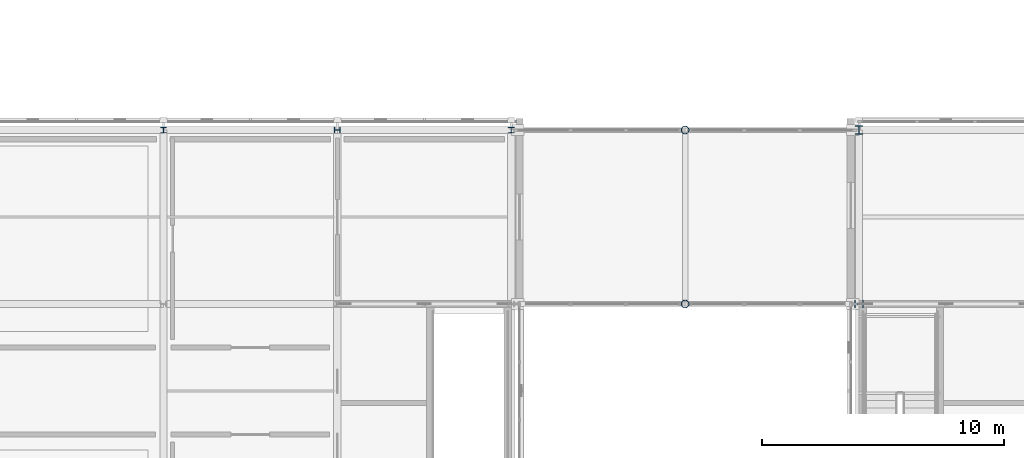
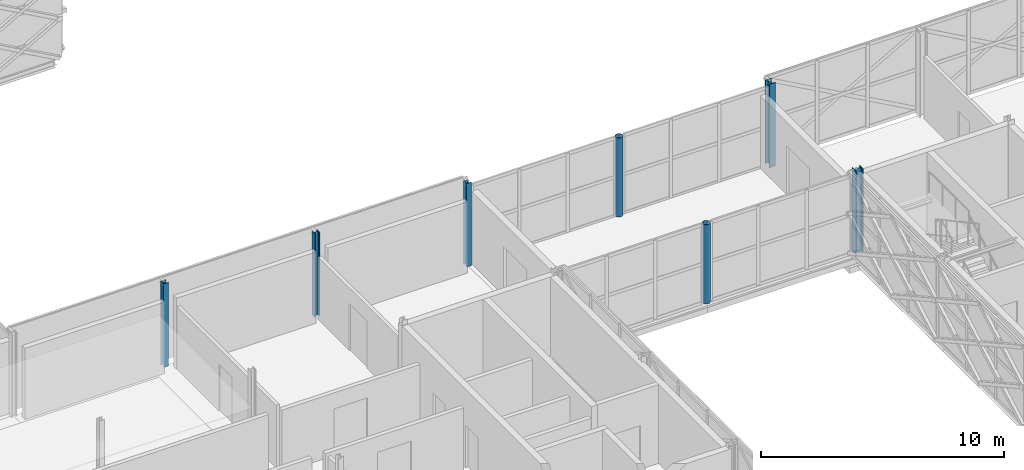
# One storey, part 3 of 126: 7 columns.
"""IFC4 building model written with IfcOpenShell, lengths in metres."""

from ifc_helpers import new_model, si_unit, direction, frame, origin, origin_2d, place, context, subcontext, project, spatial, hollow_circle, i_section, extrude, material, material_profile, profile_set, type_object, element, save


model = new_model("IFC4")

# Units and contexts
model_context = context("Model", 3, precision=1e-05, world=origin(), true_north=direction((0.0, 1.0)))
body_context = subcontext(model_context, "Body", "Model", "MODEL_VIEW")
ifc_project = project(units=[si_unit("LENGTHUNIT", "METRE"), si_unit("AREAUNIT", "SQUARE_METRE"), si_unit("VOLUMEUNIT", "CUBIC_METRE"), si_unit("PLANEANGLEUNIT", "RADIAN"), si_unit("MASSUNIT", "GRAM", prefix="KILO")], contexts=[model_context])

# Site, building, storey
site_placement = place(None, origin())
site = spatial("IfcSite", under=ifc_project, at=site_placement, CompositionType="ELEMENT")
building_placement = place(site_placement, origin())
building = spatial("IfcBuilding", under=site, at=building_placement, Name="Zlatovets Crest Museum", CompositionType="ELEMENT")
storey_placement = place(building_placement, frame((0.0, 0.0, 8.699951171875)))
storey = spatial("IfcBuildingStorey", under=building, at=storey_placement, Name="L02", CompositionType="ELEMENT", Elevation=8.699951171875)

# Columns
ifc_material = material(Name="Structural steel S355J2", Category="steel")
ifc_material_profile_1 = material_profile(ifc_material, i_section(OverallWidth=0.300048828125, OverallDepth=0.360107421875, WebThickness=0.012451171875, FlangeThickness=0.0224609375, FilletRadius=0.027099609375, at=origin_2d()), Name="HEB 360")
ifc_profile_set_1 = profile_set([ifc_material_profile_1], Name="Structural steel S355J2")
column_type_1 = type_object("IfcColumnType", Name="Col_C-08", PredefinedType="COLUMN", material=ifc_profile_set_1)
for number, where, z_axis, x_axis, name in (
    (1, (57.60009765625, 21.60009765625, 0.0), (0.0, 0.0, 1.0), (0.0, 1.0, 0.0), "V2 L02 Column (57.6, 21.6)"),
    (2, (57.60009765625, 28.800048828125, 0.0), (0.0, 0.0, 1.0), (1.0, 0.0, 0.0), "V2 L02 Column (57.6, 28.8)"),
):
    element("IfcColumn", number, at=place(storey_placement, frame(where, z_axis=z_axis, x_axis=x_axis)), inside=storey, type_object=column_type_1, Name=name, PredefinedType="COLUMN", context=body_context, shape_type="SweptSolid", body=[
        extrude(i_section(OverallWidth=0.300048828125, OverallDepth=0.360107421875, WebThickness=0.012451171875, FlangeThickness=0.0224609375, FilletRadius=0.027099609375, at=origin_2d()), origin(), (0.0, 0.0, 1.0), 4.199951171875),
    ])
ifc_material_profile_2 = material_profile(ifc_material, hollow_circle(Radius=0.161865234375, WallThickness=0.012451171875, at=origin_2d()), Name="CHS 323.9x12.5")
ifc_profile_set_2 = profile_set([ifc_material_profile_2], Name="Structural steel S355J2")
column_type_2 = type_object("IfcColumnType", Name="Col_C-13", PredefinedType="COLUMN", material=ifc_profile_set_2)
for number, where, z_axis, x_axis, name in (
    (3, (50.39990234375, 21.60009765625, 0.0), (0.0, 0.0, 1.0), (1.0, 0.0, 0.0), "South Forecourt Glazed Link Bridge Portal Column"),
    (4, (50.39990234375, 28.800048828125, 0.0), (0.0, 0.0, 1.0), (1.0, 0.0, 0.0), "South Forecourt Glazed Link Bridge Portal Column"),
):
    element("IfcColumn", number, at=place(storey_placement, frame(where, z_axis=z_axis, x_axis=x_axis)), inside=storey, type_object=column_type_2, Name=name, PredefinedType="COLUMN", context=body_context, shape_type="SweptSolid", body=[
        extrude(hollow_circle(Radius=0.161865234375, WallThickness=0.012451171875, at=origin_2d()), origin(), (0.0, 0.0, 1.0), 3.97998046875),
    ])
ifc_material_profile_3 = material_profile(ifc_material, i_section(OverallWidth=0.239990234375, OverallDepth=0.239990234375, WebThickness=0.010009765625, FlangeThickness=0.01708984375, FilletRadius=0.02099609375, at=origin_2d()), Name="HEB 240")
ifc_profile_set_3 = profile_set([ifc_material_profile_3], Name="Structural steel S355J2")
column_type_3 = type_object("IfcColumnType", Name="Col_C-18", PredefinedType="COLUMN", material=ifc_profile_set_3)
for number, where, z_axis, x_axis, name in (
    (5, (28.800048828125, 28.800048828125, 0.0), (0.0, 0.0, 1.0), (1.0, 0.0, 0.0), "V3 L02 Column (28.8, 28.8)"),
    (6, (36.0, 28.800048828125, 0.0), (0.0, 0.0, 1.0), (0.0, 1.0, 0.0), "V3 L02 Column (36.0, 28.8)"),
    (7, (43.199951171875, 28.800048828125, 0.0), (0.0, 0.0, 1.0), (1.0, 0.0, 0.0), "V3 L02 Column (43.2, 28.8)"),
):
    element("IfcColumn", number, at=place(storey_placement, frame(where, z_axis=z_axis, x_axis=x_axis)), inside=storey, type_object=column_type_3, Name=name, PredefinedType="COLUMN", context=body_context, shape_type="SweptSolid", body=[
        extrude(i_section(OverallWidth=0.239990234375, OverallDepth=0.239990234375, WebThickness=0.010009765625, FlangeThickness=0.01708984375, FilletRadius=0.02099609375, at=origin_2d()), origin(), (0.0, 0.0, 1.0), 4.199951171875),
    ])

save(model, "model.ifc")
